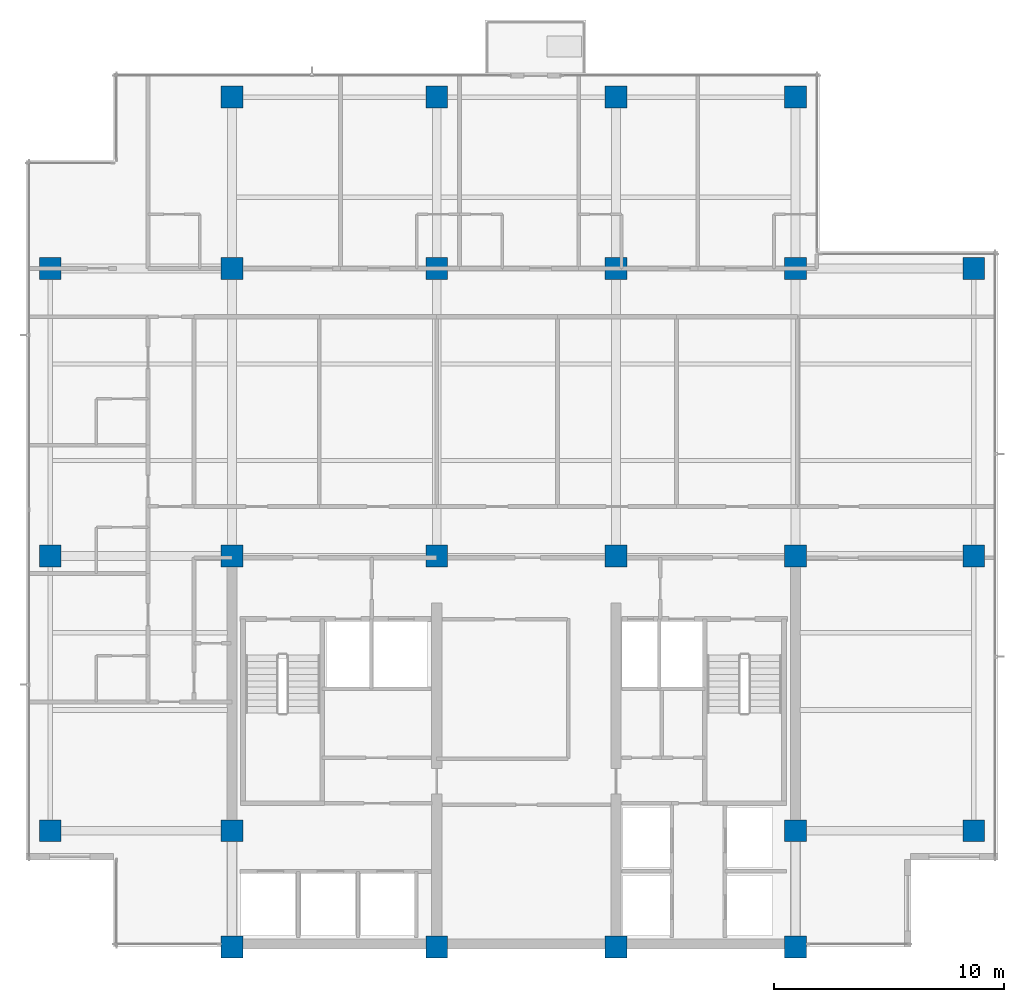
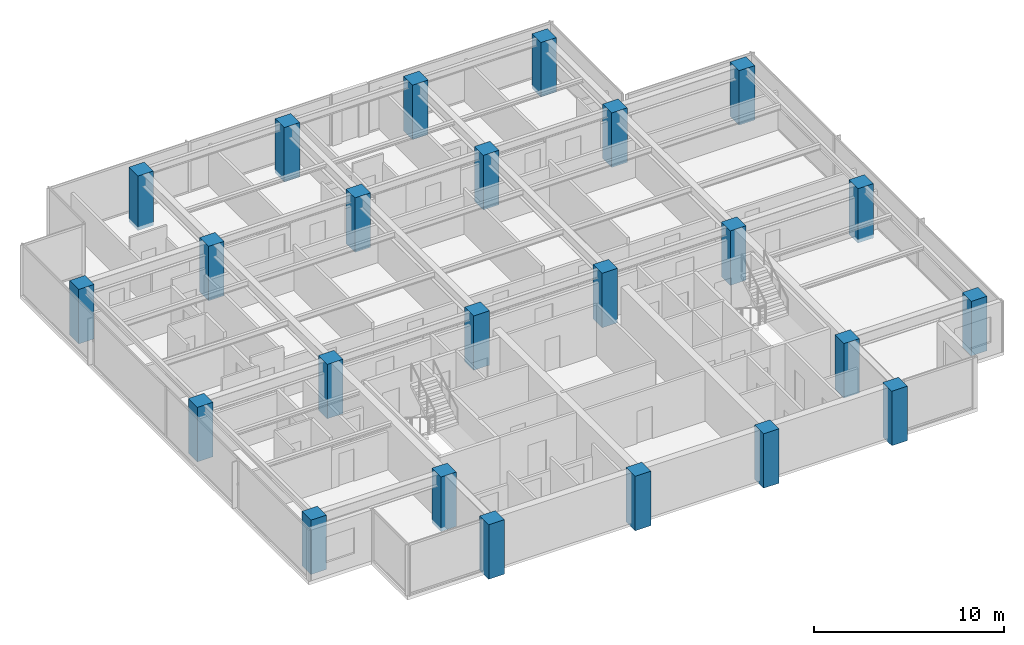
# One storey, part 1 of 15: 24 columns.
"""IFC4 building model written with IfcOpenShell, lengths in metres."""

from ifc_helpers import new_model, si_unit, direction, frame, origin, origin_2d, place, context, subcontext, project, spatial, rectangle, extrude, material, material_profile, profile_set, type_object, element, save


model = new_model("IFC4")

# Units and contexts
model_context = context("Model", 3, precision=1e-05, world=origin(), true_north=direction((0.0, 1.0)))
body_context = subcontext(model_context, "Body", "Model", "MODEL_VIEW")
ifc_project = project(units=[si_unit("LENGTHUNIT", "METRE"), si_unit("AREAUNIT", "SQUARE_METRE"), si_unit("VOLUMEUNIT", "CUBIC_METRE"), si_unit("PLANEANGLEUNIT", "RADIAN"), si_unit("MASSUNIT", "GRAM", prefix="KILO")], contexts=[model_context])

# Site, building, storey
site_placement = place(None, origin())
site = spatial("IfcSite", under=ifc_project, at=site_placement, CompositionType="ELEMENT")
building_placement = place(site_placement, origin())
building = spatial("IfcBuilding", under=site, at=building_placement, Name="Qalmaran Belvedere Hotel", CompositionType="ELEMENT")
storey_placement = place(building_placement, frame((0.0, 0.0, 203.89990234375)))
storey = spatial("IfcBuildingStorey", under=building, at=storey_placement, Name="L51", CompositionType="ELEMENT", Elevation=203.89990234375)

# Columns
ifc_material = material(Name="Concrete C50/60", Category="concrete")
ifc_material_profile = material_profile(ifc_material, rectangle(XDim=0.949951171875, YDim=0.949951171875, at=origin_2d()), Name="CC950X950")
ifc_profile_set = profile_set([ifc_material_profile], Name="Concrete C50/60")
column_type = type_object("IfcColumnType", Name="COL-Z4-CC950", PredefinedType="COLUMN", material=ifc_profile_set)
for number, where, z_axis, x_axis, name in (
    (1, (20.300048828125, 3.5, -0.239990234375), (0.0, 0.0, 1.0), (1.0, 0.0, 0.0), "L51 Column C4B"),
    (2, (29.199951171875, 3.5, -0.239990234375), (0.0, 0.0, 1.0), (1.0, 0.0, 0.0), "L51 Column C5B"),
    (3, (37.0, 3.5, -0.239990234375), (0.0, 0.0, 1.0), (1.0, 0.0, 0.0), "L51 Column C6B"),
    (4, (44.800048828125, 3.5, -0.239990234375), (0.0, 0.0, 1.0), (1.0, 0.0, 0.0), "L51 Column C7B"),
    (5, (20.300048828125, 8.550048828125, -0.239990234375), (0.0, 0.0, 1.0), (1.0, 0.0, 0.0), "L51 Column C4C"),
    (6, (44.800048828125, 8.550048828125, -0.239990234375), (0.0, 0.0, 1.0), (1.0, 0.0, 0.0), "L51 Column C7C"),
    (7, (20.300048828125, 20.5, -0.239990234375), (0.0, 0.0, 1.0), (1.0, 0.0, 0.0), "L51 Column C4D"),
    (8, (29.199951171875, 20.5, -0.239990234375), (0.0, 0.0, 1.0), (1.0, 0.0, 0.0), "L51 Column C5D"),
    (9, (37.0, 20.5, -0.239990234375), (0.0, 0.0, 1.0), (1.0, 0.0, 0.0), "L51 Column C6D"),
    (10, (44.800048828125, 20.5, -0.239990234375), (0.0, 0.0, 1.0), (1.0, 0.0, 0.0), "L51 Column C7D"),
    (11, (20.300048828125, 33.0, -0.239990234375), (0.0, 0.0, 1.0), (1.0, 0.0, 0.0), "L51 Column C4F"),
    (12, (29.199951171875, 33.0, -0.239990234375), (0.0, 0.0, 1.0), (1.0, 0.0, 0.0), "L51 Column C5F"),
    (13, (37.0, 33.0, -0.239990234375), (0.0, 0.0, 1.0), (1.0, 0.0, 0.0), "L51 Column C6F"),
    (14, (44.800048828125, 33.0, -0.239990234375), (0.0, 0.0, 1.0), (1.0, 0.0, 0.0), "L51 Column C7F"),
    (15, (12.39990234375, 8.550048828125, -0.239990234375), (0.0, 0.0, 1.0), (1.0, 0.0, 0.0), "L51 Column CW1"),
    (16, (12.39990234375, 20.5, -0.239990234375), (0.0, 0.0, 1.0), (1.0, 0.0, 0.0), "L51 Column CW3"),
    (17, (12.39990234375, 33.0, -0.239990234375), (0.0, 0.0, 1.0), (1.0, 0.0, 0.0), "L51 Column CW4"),
    (18, (52.550048828125, 8.550048828125, -0.239990234375), (0.0, 0.0, 1.0), (1.0, 0.0, 0.0), "L51 Column CE1"),
    (19, (52.550048828125, 20.5, -0.239990234375), (0.0, 0.0, 1.0), (1.0, 0.0, 0.0), "L51 Column CE3"),
    (20, (52.550048828125, 33.0, -0.239990234375), (0.0, 0.0, 1.0), (1.0, 0.0, 0.0), "L51 Column CE4"),
    (21, (20.300048828125, 40.449951171875, -0.239990234375), (0.0, 0.0, 1.0), (1.0, 0.0, 0.0), "L51 Column CN1"),
    (22, (29.199951171875, 40.449951171875, -0.239990234375), (0.0, 0.0, 1.0), (1.0, 0.0, 0.0), "L51 Column CN2"),
    (23, (37.0, 40.449951171875, -0.239990234375), (0.0, 0.0, 1.0), (1.0, 0.0, 0.0), "L51 Column CN3"),
    (24, (44.800048828125, 40.449951171875, -0.239990234375), (0.0, 0.0, 1.0), (1.0, 0.0, 0.0), "L51 Column CN4"),
):
    element("IfcColumn", number, at=place(storey_placement, frame(where, z_axis=z_axis, x_axis=x_axis)), inside=storey, type_object=column_type, Name=name, PredefinedType="COLUMN", context=body_context, shape_type="SweptSolid", body=[
        extrude(rectangle(XDim=0.949951171875, YDim=0.949951171875, at=origin_2d()), origin(), (0.0, 0.0, 1.0), 3.5),
    ])

save(model, "model.ifc")
